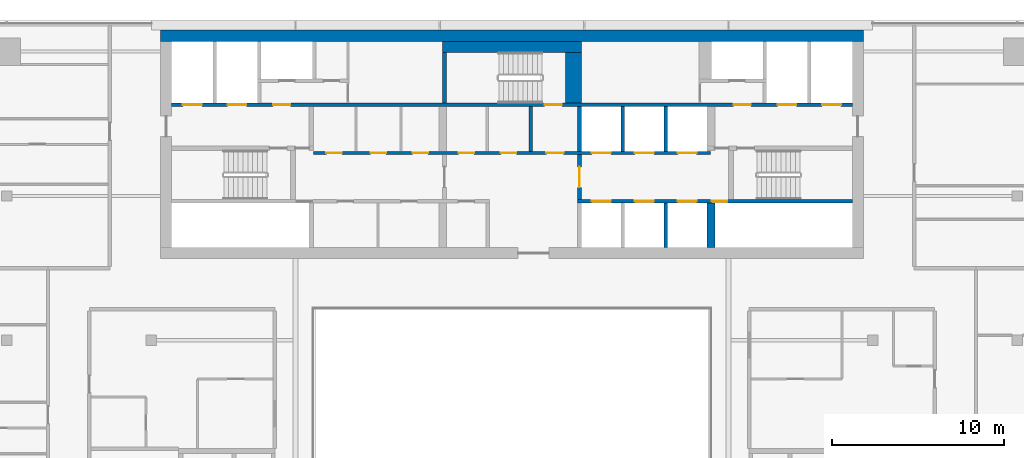
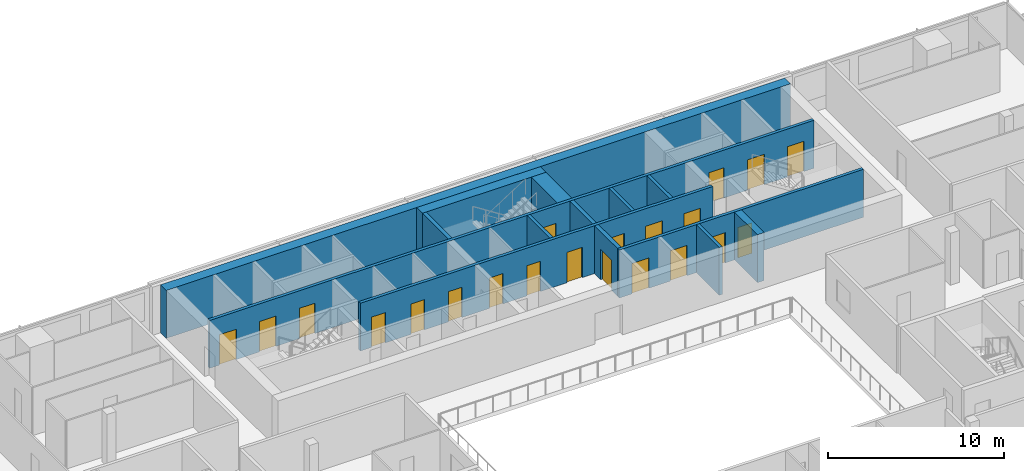
# One storey, part 21 of 30: 21 doors, 14 walls, 21 openings.
"""IFC4 building model written with IfcOpenShell, lengths in metres."""

import ifcopenshell
import ifcopenshell.guid

model = None  # the IFC model being written
_history = None  # IfcOwnerHistory: only IFC2X3 demands one
_inside = {}  # id of a spatial element -> (the spatial element, [elements in it])
_under = {}  # id of a project, library or spatial element -> (it, [spatial elements below it])
_declared = {}  # id of a project -> (the project, [libraries it declares])
_typed = {}  # id of a type object -> (the type object, [elements of that type])
_made_of = {}  # id of a material, layer set ... -> (it, [elements and type objects made of it])


def new_model(schema):
    """Start an empty IFC model of exactly this schema.

    Asked for "IFC4X3", IfcOpenShell would pick the latest addendum, in which some entities
    have other attributes; the version numbers below select the first issue.
    IFC2X3 requires an IfcOwnerHistory on every rooted entity: one is made here for all.
    """
    global model, _history
    if schema == "IFC4X3":
        model = ifcopenshell.file(schema_version=(4, 3, 0, 0))
    else:
        model = ifcopenshell.file(schema=schema)
    _inside.clear()
    _under.clear()
    _declared.clear()
    _typed.clear()
    _made_of.clear()
    _history = None
    if model.schema == "IFC2X3":
        org = make("IfcOrganization", Name="unknown")
        user = make(
            "IfcPersonAndOrganization",
            ThePerson=make("IfcPerson", FamilyName="unknown"),
            TheOrganization=org,
        )
        app = make(
            "IfcApplication",
            ApplicationDeveloper=org,
            Version="unknown",
            ApplicationFullName="unknown",
            ApplicationIdentifier="unknown",
        )
        _history = make(
            "IfcOwnerHistory",
            OwningUser=user,
            OwningApplication=app,
            ChangeAction="ADDED",
            CreationDate=0,
        )
    return model


def make(cls, **values):
    """One entity of the class cls with the attributes given. An attribute that is None is left unset."""
    return model.create_entity(
        cls, **{name: value for name, value in values.items() if value is not None}
    )


def rooted(cls, **values):
    """An entity with a GlobalId (a new one), such as an element, a storey or a relation."""
    return make(cls, GlobalId=ifcopenshell.guid.new(), OwnerHistory=_history, **values)


def si_unit(unit_type, name, prefix=None):
    """IfcSIUnit, for example si_unit("LENGTHUNIT", "METRE", prefix="MILLI")."""
    return make("IfcSIUnit", UnitType=unit_type, Prefix=prefix, Name=name)


def assignment(units):
    """IfcUnitAssignment: the units of a project."""
    return None if units is None else make("IfcUnitAssignment", Units=units)


def point(xyz):
    """IfcCartesianPoint."""
    return None if xyz is None else make("IfcCartesianPoint", Coordinates=xyz)


def direction(xyz):
    """IfcDirection."""
    return None if xyz is None else make("IfcDirection", DirectionRatios=xyz)


def frame(location, z_axis=None, x_axis=None):
    """IfcAxis2Placement3D, a coordinate frame: its origin and axes. An axis left out is left unset."""
    return make(
        "IfcAxis2Placement3D",
        Location=point(location),
        Axis=direction(z_axis),
        RefDirection=direction(x_axis),
    )


def frame_2d(location, x_axis=None):
    """IfcAxis2Placement2D, a coordinate frame in the plane: its origin and x axis."""
    return make(
        "IfcAxis2Placement2D", Location=point(location), RefDirection=direction(x_axis)
    )


def origin():
    """The frame at (0, 0, 0) with its axes left unset."""
    return frame((0.0, 0.0, 0.0))


def place(relative_to, where):
    """IfcLocalPlacement: puts the frame where relative to a parent placement (None: the world)."""
    return make(
        "IfcLocalPlacement", PlacementRelTo=relative_to, RelativePlacement=where
    )


def context(
    kind, dimensions, precision=None, world=None, true_north=None, identifier=None
):
    """IfcGeometricRepresentationContext, for example the 3D "Model" context."""
    return make(
        "IfcGeometricRepresentationContext",
        ContextIdentifier=identifier,
        ContextType=kind,
        CoordinateSpaceDimension=dimensions,
        Precision=precision,
        WorldCoordinateSystem=world,
        TrueNorth=true_north,
    )


def subcontext(parent, identifier, kind, view, scale=None):
    """IfcGeometricRepresentationSubContext, for example "Body" below "Model"."""
    return make(
        "IfcGeometricRepresentationSubContext",
        ContextIdentifier=identifier,
        ContextType=kind,
        ParentContext=parent,
        TargetScale=scale,
        TargetView=view,
    )


def project(units=None, contexts=None):
    """IfcProject with its units and contexts."""
    return rooted(
        "IfcProject",
        Name="project",
        RepresentationContexts=contexts,
        UnitsInContext=assignment(units),
    )


def spatial(cls, under=None, at=None, **own):
    """A site, building, storey or space (cls), placed at a placement, below another one or the project."""
    s = rooted(cls, ObjectPlacement=at, **own)
    if under is not None:
        _under.setdefault(under.id(), (under, []))[1].append(s)
    return s


def profile(cls, at=None, kind="AREA", **sizes):
    """A parametric profile (cls). Its sizes go by their IFC names, for example OverallWidth=200.0."""
    return make(cls, ProfileType=kind, Position=at, **sizes)


def rectangle(**sizes):
    """IfcRectangleProfileDef."""
    return profile("IfcRectangleProfileDef", **sizes)


def extrude(swept, where, along, depth):
    """IfcExtrudedAreaSolid: the profile swept, set in the frame where, extruded along a direction by depth."""
    return make(
        "IfcExtrudedAreaSolid",
        SweptArea=swept,
        Position=where,
        ExtrudedDirection=direction(along),
        Depth=depth,
    )


def shape(context_of_items, identifier, shape_type, items):
    """IfcShapeRepresentation: the items that make up one representation, for example the "Body"."""
    return make(
        "IfcShapeRepresentation",
        ContextOfItems=context_of_items,
        RepresentationIdentifier=identifier,
        RepresentationType=shape_type,
        Items=items,
    )


def material(Name=None, Category=None):
    """IfcMaterial."""
    return make("IfcMaterial", Name=Name, Category=Category)


def layer(
    of_material, thickness, ventilated=None, Name=None, Category=None, Priority=None
):
    """IfcMaterialLayer: one layer of a wall or slab, of a material (None: an air gap)."""
    return make(
        "IfcMaterialLayer",
        Material=of_material,
        LayerThickness=thickness,
        IsVentilated=ventilated,
        Name=Name,
        Category=Category,
        Priority=Priority,
    )


def layer_set(layers, Name=None):
    """IfcMaterialLayerSet."""
    return make("IfcMaterialLayerSet", MaterialLayers=layers, LayerSetName=Name)


def made_of(thing, what):
    """Note that an element or type object is made of a material, layer set ...; save() writes the relation."""
    if what is not None:
        _made_of.setdefault(what.id(), (what, []))[1].append(thing)
    return thing


def type_object(cls, material=None, **own):
    """A type object (cls), such as IfcWallType, which elements share."""
    return made_of(rooted(cls, **own), material)


def element(
    cls,
    number,
    at=None,
    inside=None,
    cuts=None,
    type_object=None,
    material=None,
    context=None,
    identifier="Body",
    shape_type=None,
    held_by="IfcProductDefinitionShape",
    body=None,
    shapes=None,
    **own,
):
    """One element of the class cls, such as IfcWall. Its Tag is "e" and its number.

    at: its placement. inside: the storey or other place that contains it. cuts: it is an
    opening in that element (IfcRelVoidsElement). A single representation is given by context,
    identifier, shape_type and body (its items); several are given by shapes. held_by: the class
    of the entity that holds the representations. save() writes the other relations.
    """
    e = rooted(cls, Tag="e%d" % number, ObjectPlacement=at, **own)
    if body is not None:
        shapes = [shape(context, identifier, shape_type, body)]
    if shapes is not None:
        e.Representation = make(held_by, Representations=shapes)
    if inside is not None:
        _inside.setdefault(inside.id(), (inside, []))[1].append(e)
    if cuts is not None:
        rooted(
            "IfcRelVoidsElement", RelatingBuildingElement=cuts, RelatedOpeningElement=e
        )
    if type_object is not None:
        _typed.setdefault(type_object.id(), (type_object, []))[1].append(e)
    return made_of(e, material)


def fill(opening, filler):
    """IfcRelFillsElement: the door or window that sits in an opening."""
    return rooted(
        "IfcRelFillsElement",
        RelatingOpeningElement=opening,
        RelatedBuildingElement=filler,
    )


def aggregate(whole, parts):
    """IfcRelAggregates: a whole, such as a stair, and the parts it consists of."""
    return rooted("IfcRelAggregates", RelatingObject=whole, RelatedObjects=parts)


def save(model, path):
    """Write the relations noted so far, then the file.

    IfcRelAggregates (storeys below a building ...), IfcRelContainedInSpatialStructure (elements
    in a storey), IfcRelDefinesByType, IfcRelAssociatesMaterial and IfcRelDeclares: one each for
    every whole, place, type object, material and project.
    """
    for whole, parts in _under.values():
        aggregate(whole, parts)
    for where, things in _inside.values():
        rooted(
            "IfcRelContainedInSpatialStructure",
            RelatedElements=things,
            RelatingStructure=where,
        )
    for kind, things in _typed.values():
        rooted("IfcRelDefinesByType", RelatedObjects=things, RelatingType=kind)
    for what, things in _made_of.values():
        rooted("IfcRelAssociatesMaterial", RelatedObjects=things, RelatingMaterial=what)
    for by, libraries in _declared.values():
        rooted("IfcRelDeclares", RelatingContext=by, RelatedDefinitions=libraries)
    model.write(path)


model = new_model("IFC4")

# Units and contexts
model_context = context("Model", 3, precision=1e-05, world=origin(), true_north=direction((0.0, 1.0)))
body_context = subcontext(model_context, "Body", "Model", "MODEL_VIEW")
ifc_project = project(units=[si_unit("LENGTHUNIT", "METRE"), si_unit("AREAUNIT", "SQUARE_METRE"), si_unit("VOLUMEUNIT", "CUBIC_METRE"), si_unit("PLANEANGLEUNIT", "RADIAN"), si_unit("MASSUNIT", "GRAM", prefix="KILO")], contexts=[model_context])

# Site, building, storey
site_placement = place(None, origin())
site = spatial("IfcSite", under=ifc_project, at=site_placement, CompositionType="ELEMENT")
building_placement = place(site_placement, origin())
building = spatial("IfcBuilding", under=site, at=building_placement, Name="Saffron Gate Tower", CompositionType="ELEMENT")
storey_placement = place(building_placement, frame((0.0, 0.0, 245.10009765625)))
storey = spatial("IfcBuildingStorey", under=building, at=storey_placement, Name="L60", CompositionType="ELEMENT", Elevation=245.10009765625)

# Wall
ifc_material_1 = material(Name="Gypsum board partition on steel studs", Category="steel")
ifc_layer_1 = layer(ifc_material_1, 0.199951171875)
ifc_layer_set_1 = layer_set([ifc_layer_1], Name="CW10 Core partition 200")
wall_type_1 = type_object("IfcWallType", Name="CW10 Core partition 200", PredefinedType="PARTITIONING", material=ifc_layer_set_1)
wall_1_placement = place(storey_placement, frame((88.699951171875, 68.0, 0.0), z_axis=(0.0, 0.0, 1.0), x_axis=(0.0, 1.0, 0.0)))
element("IfcWall", 1, at=wall_1_placement, inside=storey, type_object=wall_type_1, Name="Wall CW10-L60-24", PredefinedType="PARTITIONING", context=body_context, shape_type="SweptSolid", body=[
    extrude(rectangle(XDim=2.60009765625, YDim=0.199951171875, at=frame_2d((1.300048828125, 0.0))), origin(), (0.0, 0.0, 1.0), 3.31982421875),
])

# Wall, opening, door
ifc_material_2 = material(Name="Concrete C60", Category="concrete")
ifc_layer_2 = layer(ifc_material_2, 0.25)
ifc_layer_set_2 = layer_set([ifc_layer_2], Name="CW14 RC core wall 250 C60")
wall_type_2 = type_object("IfcWallType", Name="CW14 RC core wall 250 C60", PredefinedType="SOLIDWALL", material=ifc_layer_set_2)
wall_2_placement = place(storey_placement, frame((91.52490234375, 65.199951171875, 0.0), z_axis=(0.0, 0.0, 1.0), x_axis=(0.0, 1.0, 0.0)))
wall_2 = element("IfcWall", 2, at=wall_2_placement, inside=storey, type_object=wall_type_2, Name="Wall CW14-L60-17", PredefinedType="SOLIDWALL", context=body_context, shape_type="SweptSolid", body=[
    extrude(rectangle(XDim=2.60009765625, YDim=0.25, at=frame_2d((1.300048828125, 0.0))), origin(), (0.0, 0.0, 1.0), 3.31982421875),
])
opening_1_placement = place(wall_2_placement, frame((0.699951171875, 0.0, 0.0)))
opening_1 = element("IfcOpeningElement", 3, at=opening_1_placement, cuts=wall_2, Name="Opening CR-01", PredefinedType="OPENING", context=body_context, shape_type="SweptSolid", body=[
    extrude(rectangle(XDim=1.199951171875, YDim=2.10009765625, at=frame_2d((0.60009765625, 1.050048828125))), frame((0.0, 0.135009765625, 0.0), z_axis=(0.0, -1.0, 0.0), x_axis=(1.0, 0.0, 0.0)), (0.0, 0.0, 1.0), 0.27001953125),
])
ifc_material_3 = material(Name="Steel fire door set", Category="steel")
door_type_1 = type_object("IfcDoorType", Name="CD3 Lobby door 1200x2100 EI 120", OperationType="NOTDEFINED", PredefinedType="DOOR", material=ifc_material_3)
door_1_placement = place(opening_1_placement, origin())
door_1 = element("IfcDoor", 4, at=door_1_placement, inside=storey, type_object=door_type_1, Name="DOOR CR-01", OperationType="SINGLE_SWING_RIGHT", OverallHeight=2.10009765625, OverallWidth=1.199951171875, PredefinedType="DOOR", context=body_context, shape_type="SweptSolid", body=[
    extrude(rectangle(XDim=1.199951171875, YDim=2.10009765625, at=frame_2d((0.60009765625, 1.050048828125))), frame((0.0, 0.02490234375, 0.0), z_axis=(0.0, -1.0, 0.0), x_axis=(1.0, 0.0, 0.0)), (0.0, 0.0, 1.0), 0.050048828125),
])
fill(opening_1, door_1)

# Walls
wall_3_placement = place(storey_placement, frame((91.52490234375, 68.0, 0.0), z_axis=(0.0, 0.0, 1.0), x_axis=(0.0, 1.0, 0.0)))
element("IfcWall", 5, at=wall_3_placement, inside=storey, type_object=wall_type_2, Name="Wall CW14-L60-25", PredefinedType="SOLIDWALL", context=body_context, shape_type="SweptSolid", body=[
    extrude(rectangle(XDim=2.60009765625, YDim=0.25, at=frame_2d((1.300048828125, 0.0))), origin(), (0.0, 0.0, 1.0), 3.31982421875),
])
wall_4_placement = place(storey_placement, frame((83.675048828125, 70.800048828125, 0.0), z_axis=(0.0, 0.0, 1.0), x_axis=(0.0, 1.0, 0.0)))
element("IfcWall", 6, at=wall_4_placement, inside=storey, type_object=wall_type_2, Name="Wall CW14-L60-37", PredefinedType="SOLIDWALL", context=body_context, shape_type="SweptSolid", body=[
    extrude(rectangle(XDim=2.949951171875, YDim=0.25, at=frame_2d((1.47509765625, 0.0))), origin(), (0.0, 0.0, 1.0), 3.31982421875),
])
ifc_layer_3 = layer(ifc_material_2, 0.199951171875)
ifc_layer_set_3 = layer_set([ifc_layer_3], Name="CW15 RC core wall 200 C60")
wall_type_3 = type_object("IfcWallType", Name="CW15 RC core wall 200 C60", PredefinedType="SOLIDWALL", material=ifc_layer_set_3)
wall_5_placement = place(storey_placement, frame((96.550048828125, 62.39990234375, 0.0), z_axis=(0.0, 0.0, 1.0), x_axis=(0.0, 1.0, 0.0)))
element("IfcWall", 7, at=wall_5_placement, inside=storey, type_object=wall_type_3, Name="Wall CW15-L60-11", PredefinedType="SOLIDWALL", context=body_context, shape_type="SweptSolid", body=[
    extrude(rectangle(XDim=2.60009765625, YDim=0.199951171875, at=frame_2d((1.300048828125, 0.0))), origin(), (0.0, 0.0, 1.0), 3.31982421875),
])

# Wall, openings, doors
wall_6_placement = place(storey_placement, frame((91.39990234375, 65.10009765625, 0.0), z_axis=(0.0, 0.0, 1.0), x_axis=(1.0, 0.0, 0.0)))
wall_6 = element("IfcWall", 8, at=wall_6_placement, inside=storey, type_object=wall_type_3, Name="Wall CW15-L60-14", PredefinedType="SOLIDWALL", context=body_context, shape_type="SweptSolid", body=[
    extrude(rectangle(XDim=16.0, YDim=0.199951171875, at=frame_2d((8.0, 0.0))), origin(), (0.0, 0.0, 1.0), 3.31982421875),
])
opening_2_placement = place(wall_6_placement, frame((0.85009765625, 0.0, 0.0)))
opening_2 = element("IfcOpeningElement", 9, at=opening_2_placement, cuts=wall_6, Name="Opening LD-HR1", PredefinedType="OPENING", context=body_context, shape_type="SweptSolid", body=[
    extrude(rectangle(XDim=1.10009765625, YDim=2.10009765625, at=frame_2d((0.550048828125, 1.050048828125))), frame((0.0, 0.10986328125, 0.0), z_axis=(0.0, -1.0, 0.0), x_axis=(1.0, 0.0, 0.0)), (0.0, 0.0, 1.0), 0.219970703125),
])
opening_3_placement = place(wall_6_placement, frame((3.35009765625, 0.0, 0.0)))
opening_3 = element("IfcOpeningElement", 10, at=opening_3_placement, cuts=wall_6, Name="Opening LD-HR2", PredefinedType="OPENING", context=body_context, shape_type="SweptSolid", body=[
    extrude(rectangle(XDim=1.10009765625, YDim=2.10009765625, at=frame_2d((0.550048828125, 1.050048828125))), frame((0.0, 0.10986328125, 0.0), z_axis=(0.0, -1.0, 0.0), x_axis=(1.0, 0.0, 0.0)), (0.0, 0.0, 1.0), 0.219970703125),
])
opening_4_placement = place(wall_6_placement, frame((5.85009765625, 0.0, 0.0)))
opening_4 = element("IfcOpeningElement", 11, at=opening_4_placement, cuts=wall_6, Name="Opening LD-HR3", PredefinedType="OPENING", context=body_context, shape_type="SweptSolid", body=[
    extrude(rectangle(XDim=1.10009765625, YDim=2.10009765625, at=frame_2d((0.550048828125, 1.050048828125))), frame((0.0, 0.10986328125, 0.0), z_axis=(0.0, -1.0, 0.0), x_axis=(1.0, 0.0, 0.0)), (0.0, 0.0, 1.0), 0.219970703125),
])
opening_5_placement = place(wall_6_placement, frame((7.830078125, 0.0, 0.0)))
opening_5 = element("IfcOpeningElement", 12, at=opening_5_placement, cuts=wall_6, Name="Opening CR-48", PredefinedType="OPENING", context=body_context, shape_type="SweptSolid", body=[
    extrude(rectangle(XDim=0.89990234375, YDim=2.10009765625, at=frame_2d((0.449951171875, 1.050048828125))), frame((0.0, 0.10986328125, 0.0), z_axis=(0.0, -1.0, 0.0), x_axis=(1.0, 0.0, 0.0)), (0.0, 0.0, 1.0), 0.219970703125),
])
door_type_2 = type_object("IfcDoorType", Name="CD2 Riser door 900x2100 EI 60", OperationType="NOTDEFINED", PredefinedType="DOOR", material=ifc_material_3)
door_2_placement = place(opening_5_placement, origin())
door_2 = element("IfcDoor", 13, at=door_2_placement, inside=storey, type_object=door_type_2, Name="DOOR CR-48", OperationType="SINGLE_SWING_RIGHT", OverallHeight=2.10009765625, OverallWidth=0.89990234375, PredefinedType="DOOR", context=body_context, shape_type="SweptSolid", body=[
    extrude(rectangle(XDim=0.89990234375, YDim=2.10009765625, at=frame_2d((0.449951171875, 1.050048828125))), frame((0.0, 0.02490234375, 0.0), z_axis=(0.0, -1.0, 0.0), x_axis=(1.0, 0.0, 0.0)), (0.0, 0.0, 1.0), 0.050048828125),
])
fill(opening_5, door_2)
ifc_material_4 = material(Name="Stainless steel landing door", Category="steel")
door_type_3 = type_object("IfcDoorType", Name="LD Lift landing door 1100x2100 EI 120", OperationType="SLIDING_TO_LEFT", PredefinedType="DOOR", material=ifc_material_4)
door_3_placement = place(opening_2_placement, origin())
door_3 = element("IfcDoor", 14, at=door_3_placement, inside=storey, type_object=door_type_3, Name="LANDING DOOR LD-HR1", OperationType="SLIDING_TO_LEFT", OverallHeight=2.10009765625, OverallWidth=1.10009765625, PredefinedType="DOOR", context=body_context, shape_type="SweptSolid", body=[
    extrude(rectangle(XDim=1.10009765625, YDim=2.10009765625, at=frame_2d((0.550048828125, 1.050048828125))), frame((0.0, 0.02490234375, 0.0), z_axis=(0.0, -1.0, 0.0), x_axis=(1.0, 0.0, 0.0)), (0.0, 0.0, 1.0), 0.050048828125),
])
fill(opening_2, door_3)
door_4_placement = place(opening_3_placement, origin())
door_4 = element("IfcDoor", 15, at=door_4_placement, inside=storey, type_object=door_type_3, Name="LANDING DOOR LD-HR2", OperationType="SLIDING_TO_LEFT", OverallHeight=2.10009765625, OverallWidth=1.10009765625, PredefinedType="DOOR", context=body_context, shape_type="SweptSolid", body=[
    extrude(rectangle(XDim=1.10009765625, YDim=2.10009765625, at=frame_2d((0.550048828125, 1.050048828125))), frame((0.0, 0.02490234375, 0.0), z_axis=(0.0, -1.0, 0.0), x_axis=(1.0, 0.0, 0.0)), (0.0, 0.0, 1.0), 0.050048828125),
])
fill(opening_3, door_4)
door_5_placement = place(opening_4_placement, origin())
door_5 = element("IfcDoor", 16, at=door_5_placement, inside=storey, type_object=door_type_3, Name="LANDING DOOR LD-HR3", OperationType="SLIDING_TO_LEFT", OverallHeight=2.10009765625, OverallWidth=1.10009765625, PredefinedType="DOOR", context=body_context, shape_type="SweptSolid", body=[
    extrude(rectangle(XDim=1.10009765625, YDim=2.10009765625, at=frame_2d((0.550048828125, 1.050048828125))), frame((0.0, 0.02490234375, 0.0), z_axis=(0.0, -1.0, 0.0), x_axis=(1.0, 0.0, 0.0)), (0.0, 0.0, 1.0), 0.050048828125),
])
fill(opening_4, door_5)

wall_7_placement = place(storey_placement, frame((76.050048828125, 67.89990234375, 0.0), z_axis=(0.0, 0.0, 1.0), x_axis=(1.0, 0.0, 0.0)))
wall_7 = element("IfcWall", 17, at=wall_7_placement, inside=storey, type_object=wall_type_3, Name="Wall CW15-L60-19", PredefinedType="SOLIDWALL", context=body_context, shape_type="SweptSolid", body=[
    extrude(rectangle(XDim=23.099853515625, YDim=0.199951171875, at=frame_2d((11.5498046875, 0.0))), origin(), (0.0, 0.0, 1.0), 3.31982421875),
])
opening_6_placement = place(wall_7_placement, frame((0.75, 0.0, 0.0)))
opening_6 = element("IfcOpeningElement", 18, at=opening_6_placement, cuts=wall_7, Name="Opening CR-61", PredefinedType="OPENING", context=body_context, shape_type="SweptSolid", body=[
    extrude(rectangle(XDim=0.89990234375, YDim=2.10009765625, at=frame_2d((0.449951171875, 1.050048828125))), frame((0.0, 0.10986328125, 0.0), z_axis=(0.0, -1.0, 0.0), x_axis=(1.0, 0.0, 0.0)), (0.0, 0.0, 1.0), 0.219970703125),
])
opening_7_placement = place(wall_7_placement, frame((3.320068359375, 0.0, 0.0)))
opening_7 = element("IfcOpeningElement", 19, at=opening_7_placement, cuts=wall_7, Name="Opening CR-62", PredefinedType="OPENING", context=body_context, shape_type="SweptSolid", body=[
    extrude(rectangle(XDim=0.89990234375, YDim=2.10009765625, at=frame_2d((0.449951171875, 1.050048828125))), frame((0.0, 0.10986328125, 0.0), z_axis=(0.0, -1.0, 0.0), x_axis=(1.0, 0.0, 0.0)), (0.0, 0.0, 1.0), 0.219970703125),
])
opening_8_placement = place(wall_7_placement, frame((5.77001953125, 0.0, 0.0)))
opening_8 = element("IfcOpeningElement", 20, at=opening_8_placement, cuts=wall_7, Name="Opening CR-63", PredefinedType="OPENING", context=body_context, shape_type="SweptSolid", body=[
    extrude(rectangle(XDim=0.89990234375, YDim=2.10009765625, at=frame_2d((0.449951171875, 1.050048828125))), frame((0.0, 0.10986328125, 0.0), z_axis=(0.0, -1.0, 0.0), x_axis=(1.0, 0.0, 0.0)), (0.0, 0.0, 1.0), 0.219970703125),
])
opening_9_placement = place(wall_7_placement, frame((8.449951171875, 0.0, 0.0)))
opening_9 = element("IfcOpeningElement", 21, at=opening_9_placement, cuts=wall_7, Name="Opening CR-67", PredefinedType="OPENING", context=body_context, shape_type="SweptSolid", body=[
    extrude(rectangle(XDim=0.89990234375, YDim=2.10009765625, at=frame_2d((0.449951171875, 1.050048828125))), frame((0.0, 0.10986328125, 0.0), z_axis=(0.0, -1.0, 0.0), x_axis=(1.0, 0.0, 0.0)), (0.0, 0.0, 1.0), 0.219970703125),
])
opening_10_placement = place(wall_7_placement, frame((10.909912109375, 0.0, 0.0)))
opening_10 = element("IfcOpeningElement", 22, at=opening_10_placement, cuts=wall_7, Name="Opening CR-68", PredefinedType="OPENING", context=body_context, shape_type="SweptSolid", body=[
    extrude(rectangle(XDim=0.89990234375, YDim=2.10009765625, at=frame_2d((0.449951171875, 1.050048828125))), frame((0.0, 0.10986328125, 0.0), z_axis=(0.0, -1.0, 0.0), x_axis=(1.0, 0.0, 0.0)), (0.0, 0.0, 1.0), 0.219970703125),
])
opening_11_placement = place(wall_7_placement, frame((13.550048828125, 0.0, 0.0)))
opening_11 = element("IfcOpeningElement", 23, at=opening_11_placement, cuts=wall_7, Name="Opening CR-02", PredefinedType="OPENING", context=body_context, shape_type="SweptSolid", body=[
    extrude(rectangle(XDim=1.0, YDim=2.10009765625, at=frame_2d((0.5, 1.050048828125))), frame((0.0, 0.10986328125, 0.0), z_axis=(0.0, -1.0, 0.0), x_axis=(1.0, 0.0, 0.0)), (0.0, 0.0, 1.0), 0.219970703125),
])
opening_12_placement = place(wall_7_placement, frame((16.199951171875, 0.0, 0.0)))
opening_12 = element("IfcOpeningElement", 24, at=opening_12_placement, cuts=wall_7, Name="Opening LD-HR4", PredefinedType="OPENING", context=body_context, shape_type="SweptSolid", body=[
    extrude(rectangle(XDim=1.10009765625, YDim=2.10009765625, at=frame_2d((0.550048828125, 1.050048828125))), frame((0.0, 0.10986328125, 0.0), z_axis=(0.0, -1.0, 0.0), x_axis=(1.0, 0.0, 0.0)), (0.0, 0.0, 1.0), 0.219970703125),
])
opening_13_placement = place(wall_7_placement, frame((18.699951171875, 0.0, 0.0)))
opening_13 = element("IfcOpeningElement", 25, at=opening_13_placement, cuts=wall_7, Name="Opening LD-HR5", PredefinedType="OPENING", context=body_context, shape_type="SweptSolid", body=[
    extrude(rectangle(XDim=1.10009765625, YDim=2.10009765625, at=frame_2d((0.550048828125, 1.050048828125))), frame((0.0, 0.10986328125, 0.0), z_axis=(0.0, -1.0, 0.0), x_axis=(1.0, 0.0, 0.0)), (0.0, 0.0, 1.0), 0.219970703125),
])
opening_14_placement = place(wall_7_placement, frame((21.199951171875, 0.0, 0.0)))
opening_14 = element("IfcOpeningElement", 26, at=opening_14_placement, cuts=wall_7, Name="Opening LD-HR6", PredefinedType="OPENING", context=body_context, shape_type="SweptSolid", body=[
    extrude(rectangle(XDim=1.10009765625, YDim=2.10009765625, at=frame_2d((0.550048828125, 1.050048828125))), frame((0.0, 0.10986328125, 0.0), z_axis=(0.0, -1.0, 0.0), x_axis=(1.0, 0.0, 0.0)), (0.0, 0.0, 1.0), 0.219970703125),
])
door_type_4 = type_object("IfcDoorType", Name="CD4 Lobby door 1000x2100 EI 120", OperationType="NOTDEFINED", PredefinedType="DOOR", material=ifc_material_3)
door_6_placement = place(opening_11_placement, origin())
door_6 = element("IfcDoor", 27, at=door_6_placement, inside=storey, type_object=door_type_4, Name="DOOR CR-02", OperationType="SINGLE_SWING_LEFT", OverallHeight=2.10009765625, OverallWidth=1.0, PredefinedType="DOOR", context=body_context, shape_type="SweptSolid", body=[
    extrude(rectangle(XDim=1.0, YDim=2.10009765625, at=frame_2d((0.5, 1.050048828125))), frame((0.0, 0.02490234375, 0.0), z_axis=(0.0, -1.0, 0.0), x_axis=(1.0, 0.0, 0.0)), (0.0, 0.0, 1.0), 0.050048828125),
])
fill(opening_11, door_6)
door_type_5 = type_object("IfcDoorType", Name="CD9 Room door 900x2100 EI 60", OperationType="NOTDEFINED", PredefinedType="DOOR", material=ifc_material_3)
door_7_placement = place(opening_6_placement, origin())
door_7 = element("IfcDoor", 28, at=door_7_placement, inside=storey, type_object=door_type_5, Name="DOOR CR-61", OperationType="SINGLE_SWING_LEFT", OverallHeight=2.10009765625, OverallWidth=0.89990234375, PredefinedType="DOOR", context=body_context, shape_type="SweptSolid", body=[
    extrude(rectangle(XDim=0.89990234375, YDim=2.10009765625, at=frame_2d((0.449951171875, 1.050048828125))), frame((0.0, 0.02490234375, 0.0), z_axis=(0.0, -1.0, 0.0), x_axis=(1.0, 0.0, 0.0)), (0.0, 0.0, 1.0), 0.050048828125),
])
fill(opening_6, door_7)
door_8_placement = place(opening_7_placement, origin())
door_8 = element("IfcDoor", 29, at=door_8_placement, inside=storey, type_object=door_type_5, Name="DOOR CR-62", OperationType="SINGLE_SWING_LEFT", OverallHeight=2.10009765625, OverallWidth=0.89990234375, PredefinedType="DOOR", context=body_context, shape_type="SweptSolid", body=[
    extrude(rectangle(XDim=0.89990234375, YDim=2.10009765625, at=frame_2d((0.449951171875, 1.050048828125))), frame((0.0, 0.02490234375, 0.0), z_axis=(0.0, -1.0, 0.0), x_axis=(1.0, 0.0, 0.0)), (0.0, 0.0, 1.0), 0.050048828125),
])
fill(opening_7, door_8)
door_9_placement = place(opening_8_placement, origin())
door_9 = element("IfcDoor", 30, at=door_9_placement, inside=storey, type_object=door_type_5, Name="DOOR CR-63", OperationType="SINGLE_SWING_LEFT", OverallHeight=2.10009765625, OverallWidth=0.89990234375, PredefinedType="DOOR", context=body_context, shape_type="SweptSolid", body=[
    extrude(rectangle(XDim=0.89990234375, YDim=2.10009765625, at=frame_2d((0.449951171875, 1.050048828125))), frame((0.0, 0.02490234375, 0.0), z_axis=(0.0, -1.0, 0.0), x_axis=(1.0, 0.0, 0.0)), (0.0, 0.0, 1.0), 0.050048828125),
])
fill(opening_8, door_9)
door_10_placement = place(opening_9_placement, origin())
door_10 = element("IfcDoor", 31, at=door_10_placement, inside=storey, type_object=door_type_5, Name="DOOR CR-67", OperationType="SINGLE_SWING_LEFT", OverallHeight=2.10009765625, OverallWidth=0.89990234375, PredefinedType="DOOR", context=body_context, shape_type="SweptSolid", body=[
    extrude(rectangle(XDim=0.89990234375, YDim=2.10009765625, at=frame_2d((0.449951171875, 1.050048828125))), frame((0.0, 0.02490234375, 0.0), z_axis=(0.0, -1.0, 0.0), x_axis=(1.0, 0.0, 0.0)), (0.0, 0.0, 1.0), 0.050048828125),
])
fill(opening_9, door_10)
door_11_placement = place(opening_10_placement, origin())
door_11 = element("IfcDoor", 32, at=door_11_placement, inside=storey, type_object=door_type_5, Name="DOOR CR-68", OperationType="SINGLE_SWING_LEFT", OverallHeight=2.10009765625, OverallWidth=0.89990234375, PredefinedType="DOOR", context=body_context, shape_type="SweptSolid", body=[
    extrude(rectangle(XDim=0.89990234375, YDim=2.10009765625, at=frame_2d((0.449951171875, 1.050048828125))), frame((0.0, 0.02490234375, 0.0), z_axis=(0.0, -1.0, 0.0), x_axis=(1.0, 0.0, 0.0)), (0.0, 0.0, 1.0), 0.050048828125),
])
fill(opening_10, door_11)
door_12_placement = place(opening_12_placement, origin())
door_12 = element("IfcDoor", 33, at=door_12_placement, inside=storey, type_object=door_type_3, Name="LANDING DOOR LD-HR4", OperationType="SLIDING_TO_RIGHT", OverallHeight=2.10009765625, OverallWidth=1.10009765625, PredefinedType="DOOR", context=body_context, shape_type="SweptSolid", body=[
    extrude(rectangle(XDim=1.10009765625, YDim=2.10009765625, at=frame_2d((0.550048828125, 1.050048828125))), frame((0.0, 0.02490234375, 0.0), z_axis=(0.0, -1.0, 0.0), x_axis=(1.0, 0.0, 0.0)), (0.0, 0.0, 1.0), 0.050048828125),
])
fill(opening_12, door_12)
door_13_placement = place(opening_13_placement, origin())
door_13 = element("IfcDoor", 34, at=door_13_placement, inside=storey, type_object=door_type_3, Name="LANDING DOOR LD-HR5", OperationType="SLIDING_TO_RIGHT", OverallHeight=2.10009765625, OverallWidth=1.10009765625, PredefinedType="DOOR", context=body_context, shape_type="SweptSolid", body=[
    extrude(rectangle(XDim=1.10009765625, YDim=2.10009765625, at=frame_2d((0.550048828125, 1.050048828125))), frame((0.0, 0.02490234375, 0.0), z_axis=(0.0, -1.0, 0.0), x_axis=(1.0, 0.0, 0.0)), (0.0, 0.0, 1.0), 0.050048828125),
])
fill(opening_13, door_13)
door_14_placement = place(opening_14_placement, origin())
door_14 = element("IfcDoor", 35, at=door_14_placement, inside=storey, type_object=door_type_3, Name="LANDING DOOR LD-HR6", OperationType="SLIDING_TO_RIGHT", OverallHeight=2.10009765625, OverallWidth=1.10009765625, PredefinedType="DOOR", context=body_context, shape_type="SweptSolid", body=[
    extrude(rectangle(XDim=1.10009765625, YDim=2.10009765625, at=frame_2d((0.550048828125, 1.050048828125))), frame((0.0, 0.02490234375, 0.0), z_axis=(0.0, -1.0, 0.0), x_axis=(1.0, 0.0, 0.0)), (0.0, 0.0, 1.0), 0.050048828125),
])
fill(opening_14, door_14)

# Walls
for number, where, z_axis, x_axis, name in (
    (36, (94.050048828125, 68.0, 0.0), (0.0, 0.0, 1.0), (0.0, 1.0, 0.0), "Wall CW15-L60-26"),
    (37, (96.550048828125, 68.0, 0.0), (0.0, 0.0, 1.0), (0.0, 1.0, 0.0), "Wall CW15-L60-27"),
):
    element("IfcWall", number, at=place(storey_placement, frame(where, z_axis=z_axis, x_axis=x_axis)), inside=storey, type_object=wall_type_3, Name=name, PredefinedType="SOLIDWALL", context=body_context, shape_type="SweptSolid", body=[
        extrude(rectangle(XDim=2.60009765625, YDim=0.199951171875, at=frame_2d((1.300048828125, 0.0))), origin(), (0.0, 0.0, 1.0), 3.31982421875),
    ])

# Wall, openings, doors
wall_8_placement = place(storey_placement, frame((67.800048828125, 70.699951171875, 0.0), z_axis=(0.0, 0.0, 1.0), x_axis=(1.0, 0.0, 0.0)))
wall_8 = element("IfcWall", 38, at=wall_8_placement, inside=storey, type_object=wall_type_3, Name="Wall CW15-L60-33", PredefinedType="SOLIDWALL", context=body_context, shape_type="SweptSolid", body=[
    extrude(rectangle(XDim=39.599853515625, YDim=0.199951171875, at=frame_2d((19.7998046875, 0.0))), origin(), (0.0, 0.0, 1.0), 3.31982421875),
])
opening_15_placement = place(wall_8_placement, frame((0.64990234375, 0.0, 0.0)))
opening_15 = element("IfcOpeningElement", 39, at=opening_15_placement, cuts=wall_8, Name="Opening LD-FF1", PredefinedType="OPENING", context=body_context, shape_type="SweptSolid", body=[
    extrude(rectangle(XDim=1.10009765625, YDim=2.10009765625, at=frame_2d((0.550048828125, 1.050048828125))), frame((0.0, 0.10986328125, 0.0), z_axis=(0.0, -1.0, 0.0), x_axis=(1.0, 0.0, 0.0)), (0.0, 0.0, 1.0), 0.219970703125),
])
opening_16_placement = place(wall_8_placement, frame((3.25, 0.0, 0.0)))
opening_16 = element("IfcOpeningElement", 40, at=opening_16_placement, cuts=wall_8, Name="Opening LD-SV1", PredefinedType="OPENING", context=body_context, shape_type="SweptSolid", body=[
    extrude(rectangle(XDim=1.10009765625, YDim=2.10009765625, at=frame_2d((0.550048828125, 1.050048828125))), frame((0.0, 0.10986328125, 0.0), z_axis=(0.0, -1.0, 0.0), x_axis=(1.0, 0.0, 0.0)), (0.0, 0.0, 1.0), 0.219970703125),
])
opening_17_placement = place(wall_8_placement, frame((5.89990234375, 0.0, 0.0)))
opening_17 = element("IfcOpeningElement", 41, at=opening_17_placement, cuts=wall_8, Name="Opening CR-03", PredefinedType="OPENING", context=body_context, shape_type="SweptSolid", body=[
    extrude(rectangle(XDim=1.0, YDim=2.10009765625, at=frame_2d((0.5, 1.050048828125))), frame((0.0, 0.10986328125, 0.0), z_axis=(0.0, -1.0, 0.0), x_axis=(1.0, 0.0, 0.0)), (0.0, 0.0, 1.0), 0.219970703125),
])
opening_18_placement = place(wall_8_placement, frame((21.699951171875, 0.0, 0.0)))
opening_18 = element("IfcOpeningElement", 42, at=opening_18_placement, cuts=wall_8, Name="Opening CR-17", PredefinedType="OPENING", context=body_context, shape_type="SweptSolid", body=[
    extrude(rectangle(XDim=1.0, YDim=2.10009765625, at=frame_2d((0.5, 1.050048828125))), frame((0.0, 0.10986328125, 0.0), z_axis=(0.0, -1.0, 0.0), x_axis=(1.0, 0.0, 0.0)), (0.0, 0.0, 1.0), 0.219970703125),
])
opening_19_placement = place(wall_8_placement, frame((32.699951171875, 0.0, 0.0)))
opening_19 = element("IfcOpeningElement", 43, at=opening_19_placement, cuts=wall_8, Name="Opening CR-04", PredefinedType="OPENING", context=body_context, shape_type="SweptSolid", body=[
    extrude(rectangle(XDim=1.0, YDim=2.10009765625, at=frame_2d((0.5, 1.050048828125))), frame((0.0, 0.10986328125, 0.0), z_axis=(0.0, -1.0, 0.0), x_axis=(1.0, 0.0, 0.0)), (0.0, 0.0, 1.0), 0.219970703125),
])
opening_20_placement = place(wall_8_placement, frame((35.25, 0.0, 0.0)))
opening_20 = element("IfcOpeningElement", 44, at=opening_20_placement, cuts=wall_8, Name="Opening LD-SV2", PredefinedType="OPENING", context=body_context, shape_type="SweptSolid", body=[
    extrude(rectangle(XDim=1.10009765625, YDim=2.10009765625, at=frame_2d((0.550048828125, 1.050048828125))), frame((0.0, 0.10986328125, 0.0), z_axis=(0.0, -1.0, 0.0), x_axis=(1.0, 0.0, 0.0)), (0.0, 0.0, 1.0), 0.219970703125),
])
opening_21_placement = place(wall_8_placement, frame((37.85009765625, 0.0, 0.0)))
opening_21 = element("IfcOpeningElement", 45, at=opening_21_placement, cuts=wall_8, Name="Opening LD-FF2", PredefinedType="OPENING", context=body_context, shape_type="SweptSolid", body=[
    extrude(rectangle(XDim=1.10009765625, YDim=2.10009765625, at=frame_2d((0.550048828125, 1.050048828125))), frame((0.0, 0.10986328125, 0.0), z_axis=(0.0, -1.0, 0.0), x_axis=(1.0, 0.0, 0.0)), (0.0, 0.0, 1.0), 0.219970703125),
])
door_15_placement = place(opening_17_placement, origin())
door_15 = element("IfcDoor", 46, at=door_15_placement, inside=storey, type_object=door_type_4, Name="DOOR CR-03", OperationType="SINGLE_SWING_LEFT", OverallHeight=2.10009765625, OverallWidth=1.0, PredefinedType="DOOR", context=body_context, shape_type="SweptSolid", body=[
    extrude(rectangle(XDim=1.0, YDim=2.10009765625, at=frame_2d((0.5, 1.050048828125))), frame((0.0, 0.02490234375, 0.0), z_axis=(0.0, -1.0, 0.0), x_axis=(1.0, 0.0, 0.0)), (0.0, 0.0, 1.0), 0.050048828125),
])
fill(opening_17, door_15)
door_16_placement = place(opening_19_placement, origin())
door_16 = element("IfcDoor", 47, at=door_16_placement, inside=storey, type_object=door_type_4, Name="DOOR CR-04", OperationType="SINGLE_SWING_RIGHT", OverallHeight=2.10009765625, OverallWidth=1.0, PredefinedType="DOOR", context=body_context, shape_type="SweptSolid", body=[
    extrude(rectangle(XDim=1.0, YDim=2.10009765625, at=frame_2d((0.5, 1.050048828125))), frame((0.0, 0.02490234375, 0.0), z_axis=(0.0, -1.0, 0.0), x_axis=(1.0, 0.0, 0.0)), (0.0, 0.0, 1.0), 0.050048828125),
])
fill(opening_19, door_16)
door_type_6 = type_object("IfcDoorType", Name="CD5 Stair door 1000x2100 EI 120", OperationType="NOTDEFINED", PredefinedType="DOOR", material=ifc_material_3)
door_17_placement = place(opening_18_placement, origin())
door_17 = element("IfcDoor", 48, at=door_17_placement, inside=storey, type_object=door_type_6, Name="DOOR CR-17", OperationType="SINGLE_SWING_RIGHT", OverallHeight=2.10009765625, OverallWidth=1.0, PredefinedType="DOOR", context=body_context, shape_type="SweptSolid", body=[
    extrude(rectangle(XDim=1.0, YDim=2.10009765625, at=frame_2d((0.5, 1.050048828125))), frame((0.0, 0.02490234375, 0.0), z_axis=(0.0, -1.0, 0.0), x_axis=(1.0, 0.0, 0.0)), (0.0, 0.0, 1.0), 0.050048828125),
])
fill(opening_18, door_17)
door_18_placement = place(opening_15_placement, origin())
door_18 = element("IfcDoor", 49, at=door_18_placement, inside=storey, type_object=door_type_3, Name="LANDING DOOR LD-FF1", OperationType="SLIDING_TO_RIGHT", OverallHeight=2.10009765625, OverallWidth=1.10009765625, PredefinedType="DOOR", context=body_context, shape_type="SweptSolid", body=[
    extrude(rectangle(XDim=1.10009765625, YDim=2.10009765625, at=frame_2d((0.550048828125, 1.050048828125))), frame((0.0, 0.02490234375, 0.0), z_axis=(0.0, -1.0, 0.0), x_axis=(1.0, 0.0, 0.0)), (0.0, 0.0, 1.0), 0.050048828125),
])
fill(opening_15, door_18)
door_19_placement = place(opening_16_placement, origin())
door_19 = element("IfcDoor", 50, at=door_19_placement, inside=storey, type_object=door_type_3, Name="LANDING DOOR LD-SV1", OperationType="SLIDING_TO_RIGHT", OverallHeight=2.10009765625, OverallWidth=1.10009765625, PredefinedType="DOOR", context=body_context, shape_type="SweptSolid", body=[
    extrude(rectangle(XDim=1.10009765625, YDim=2.10009765625, at=frame_2d((0.550048828125, 1.050048828125))), frame((0.0, 0.02490234375, 0.0), z_axis=(0.0, -1.0, 0.0), x_axis=(1.0, 0.0, 0.0)), (0.0, 0.0, 1.0), 0.050048828125),
])
fill(opening_16, door_19)
door_20_placement = place(opening_20_placement, origin())
door_20 = element("IfcDoor", 51, at=door_20_placement, inside=storey, type_object=door_type_3, Name="LANDING DOOR LD-SV2", OperationType="SLIDING_TO_RIGHT", OverallHeight=2.10009765625, OverallWidth=1.10009765625, PredefinedType="DOOR", context=body_context, shape_type="SweptSolid", body=[
    extrude(rectangle(XDim=1.10009765625, YDim=2.10009765625, at=frame_2d((0.550048828125, 1.050048828125))), frame((0.0, 0.02490234375, 0.0), z_axis=(0.0, -1.0, 0.0), x_axis=(1.0, 0.0, 0.0)), (0.0, 0.0, 1.0), 0.050048828125),
])
fill(opening_20, door_20)
door_21_placement = place(opening_21_placement, origin())
door_21 = element("IfcDoor", 52, at=door_21_placement, inside=storey, type_object=door_type_3, Name="LANDING DOOR LD-FF2", OperationType="SLIDING_TO_RIGHT", OverallHeight=2.10009765625, OverallWidth=1.10009765625, PredefinedType="DOOR", context=body_context, shape_type="SweptSolid", body=[
    extrude(rectangle(XDim=1.10009765625, YDim=2.10009765625, at=frame_2d((0.550048828125, 1.050048828125))), frame((0.0, 0.02490234375, 0.0), z_axis=(0.0, -1.0, 0.0), x_axis=(1.0, 0.0, 0.0)), (0.0, 0.0, 1.0), 0.050048828125),
])
fill(opening_21, door_21)

# Walls
ifc_layer_4 = layer(ifc_material_2, 0.449951171875)
ifc_layer_set_4 = layer_set([ifc_layer_4], Name="CW16 RC core wall 450 C60")
wall_type_4 = type_object("IfcWallType", Name="CW16 RC core wall 450 C60", PredefinedType="SOLIDWALL", material=ifc_layer_set_4)
wall_9_placement = place(storey_placement, frame((99.175048828125, 62.39990234375, 0.0), z_axis=(0.0, 0.0, 1.0), x_axis=(0.0, 1.0, 0.0)))
element("IfcWall", 53, at=wall_9_placement, inside=storey, type_object=wall_type_4, Name="Wall CW16-L60-12", PredefinedType="SOLIDWALL", context=body_context, shape_type="SweptSolid", body=[
    extrude(rectangle(XDim=2.60009765625, YDim=0.449951171875, at=frame_2d((1.300048828125, 0.0))), origin(), (0.0, 0.0, 1.0), 3.31982421875),
])
ifc_layer_5 = layer(ifc_material_2, 0.949951171875)
ifc_layer_set_5 = layer_set([ifc_layer_5], Name="CW19 RC core wall 950 C60")
wall_type_5 = type_object("IfcWallType", Name="CW19 RC core wall 950 C60", PredefinedType="SOLIDWALL", material=ifc_layer_set_5)
wall_10_placement = place(storey_placement, frame((91.175048828125, 70.800048828125, 0.0), z_axis=(0.0, 0.0, 1.0), x_axis=(0.0, 1.0, 0.0)))
element("IfcWall", 54, at=wall_10_placement, inside=storey, type_object=wall_type_5, Name="Wall CW19-L60-38", PredefinedType="SOLIDWALL", context=body_context, shape_type="SweptSolid", body=[
    extrude(rectangle(XDim=2.949951171875, YDim=0.949951171875, at=frame_2d((1.47509765625, 0.0))), origin(), (0.0, 0.0, 1.0), 3.31982421875),
])
ifc_layer_6 = layer(ifc_material_2, 0.64990234375)
ifc_layer_set_6 = layer_set([ifc_layer_6], Name="CW20 RC core wall 650 C60")
wall_type_6 = type_object("IfcWallType", Name="CW20 RC core wall 650 C60", PredefinedType="SOLIDWALL", material=ifc_layer_set_6)
wall_11_placement = place(storey_placement, frame((67.14990234375, 74.72509765625, 0.0), z_axis=(0.0, 0.0, 1.0), x_axis=(1.0, 0.0, 0.0)))
element("IfcWall", 55, at=wall_11_placement, inside=storey, type_object=wall_type_6, Name="Wall CW20-L60-2", PredefinedType="SOLIDWALL", context=body_context, shape_type="SweptSolid", body=[
    extrude(rectangle(XDim=40.900146484375, YDim=0.64990234375, at=frame_2d((20.4501953125, 0.0))), origin(), (0.0, 0.0, 1.0), 3.31982421875),
])
wall_12_placement = place(storey_placement, frame((83.550048828125, 74.074951171875, 0.0), z_axis=(0.0, 0.0, 1.0), x_axis=(1.0, 0.0, 0.0)))
element("IfcWall", 56, at=wall_12_placement, inside=storey, type_object=wall_type_6, Name="Wall CW20-L60-49", PredefinedType="SOLIDWALL", context=body_context, shape_type="SweptSolid", body=[
    extrude(rectangle(XDim=8.099853515625, YDim=0.64990234375, at=frame_2d((4.0498046875, 0.0))), origin(), (0.0, 0.0, 1.0), 3.31982421875),
])

save(model, "model.ifc")
